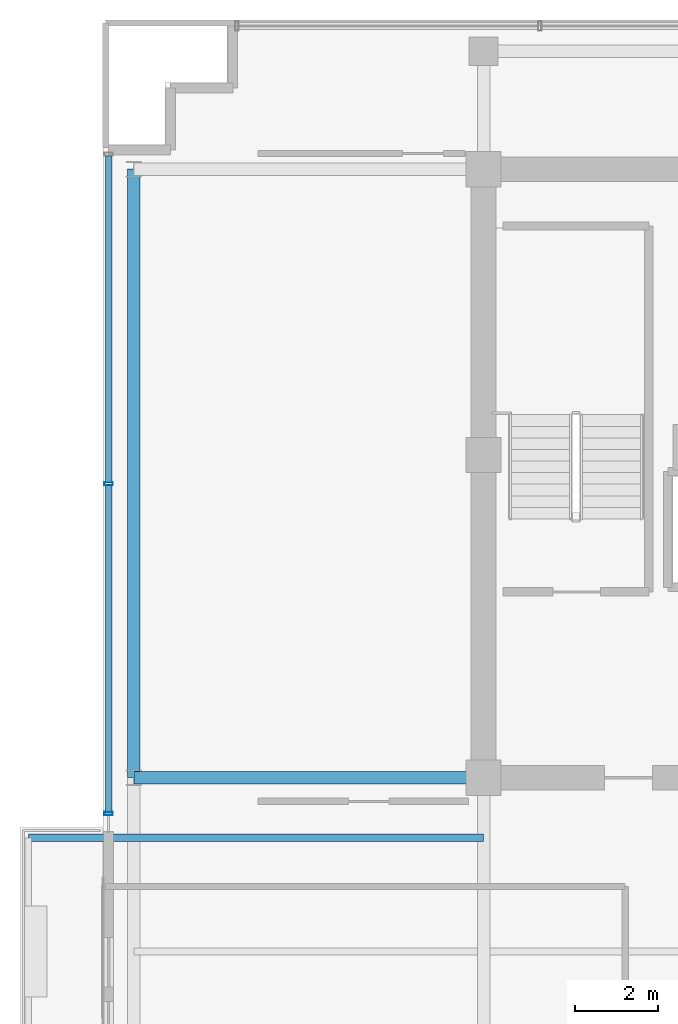
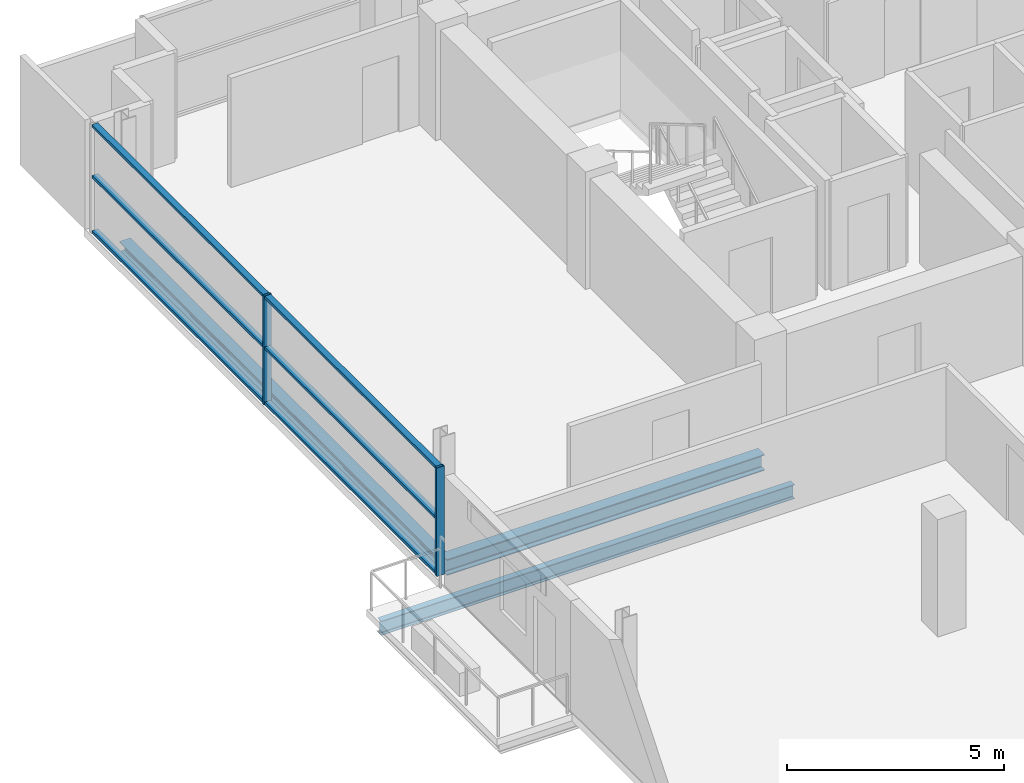
# One storey, part 6 of 22: 8 members, 3 beams, 1 element without a shape of its own.
"""IFC4 building model written with IfcOpenShell, lengths in metres."""

from ifc_helpers import new_model, si_unit, direction, frame, origin, origin_2d, place, context, subcontext, project, spatial, hollow_rectangle, i_section, extrude, source, transform, mapped, material, layer, layer_set, material_profile, profile_set, type_object, element, aggregate, save


model = new_model("IFC4")

# Units and contexts
model_context = context("Model", 3, precision=1e-05, world=origin(), true_north=direction((0.0, 1.0)))
body_context = subcontext(model_context, "Body", "Model", "MODEL_VIEW")
ifc_project = project(units=[si_unit("LENGTHUNIT", "METRE"), si_unit("AREAUNIT", "SQUARE_METRE"), si_unit("VOLUMEUNIT", "CUBIC_METRE"), si_unit("PLANEANGLEUNIT", "RADIAN"), si_unit("MASSUNIT", "GRAM", prefix="KILO")], contexts=[model_context])

# Site, building, storey
site_placement = place(None, origin())
site = spatial("IfcSite", under=ifc_project, at=site_placement, CompositionType="ELEMENT")
building_placement = place(site_placement, origin())
building = spatial("IfcBuilding", under=site, at=building_placement, Name="Zarnakvel Exchange Tower", CompositionType="ELEMENT")
storey_placement = place(building_placement, frame((0.0, 0.0, 228.699951171875)))
storey = spatial("IfcBuildingStorey", under=building, at=storey_placement, Name="L64", CompositionType="ELEMENT", Elevation=228.699951171875)

# Beams
ifc_material_1 = material(Name="Steel S355", Category="steel")
ifc_material_profile_1 = material_profile(ifc_material_1, i_section(OverallWidth=0.179931640625, OverallDepth=0.39990234375, WebThickness=0.008544921875, FlangeThickness=0.013427734375, FilletRadius=0.02099609375, at=origin_2d()))
ifc_profile_set_1 = profile_set([ifc_material_profile_1], Name="Steel S355")
beam_type_1 = type_object("IfcBeamType", Name="B-06", PredefinedType="JOIST", material=ifc_profile_set_1)
beam_1_placement = place(storey_placement, frame((-14.39990234375, -2.64990234375, -0.425048828125), z_axis=(-1.0, 0.0, 0.0), x_axis=(0.0, -1.0, 0.0)))
element("IfcBeam", 1, at=beam_1_placement, inside=storey, type_object=beam_type_1, Name="L64 Continuous West Loggia Beam N", PredefinedType="JOIST", context=body_context, shape_type="SweptSolid", body=[
    extrude(i_section(OverallWidth=0.179931640625, OverallDepth=0.39990234375, WebThickness=0.008544921875, FlangeThickness=0.013427734375, FilletRadius=0.02099609375, at=origin_2d()), origin(), (0.0, 0.0, 1.0), 11.0),
])
ifc_material_profile_2 = material_profile(ifc_material_1, i_section(OverallWidth=0.300048828125, OverallDepth=0.449951171875, WebThickness=0.013916015625, FlangeThickness=0.02587890625, FilletRadius=0.027099609375, at=origin_2d()))
ifc_profile_set_2 = profile_set([ifc_material_profile_2], Name="Steel S355")
beam_type_2 = type_object("IfcBeamType", Name="G-07", PredefinedType="BEAM", material=ifc_profile_set_2)
beam_2_placement = place(storey_placement, frame((-22.85009765625, -1.199951171875, -0.449951171875), z_axis=(1.0, 0.0, 0.0), x_axis=(0.0, 1.0, 0.0)))
element("IfcBeam", 2, at=beam_2_placement, inside=storey, type_object=beam_type_2, Name="L64 Tower E-W Frame Beam", PredefinedType="BEAM", context=body_context, shape_type="SweptSolid", body=[
    extrude(i_section(OverallWidth=0.300048828125, OverallDepth=0.449951171875, WebThickness=0.013916015625, FlangeThickness=0.02587890625, FilletRadius=0.027099609375, at=origin_2d()), origin(), (0.0, 0.0, 1.0), 8.4501953125),
])
ifc_material_profile_3 = material_profile(ifc_material_1, i_section(OverallWidth=0.300048828125, OverallDepth=0.300048828125, WebThickness=0.010986328125, FlangeThickness=0.01904296875, FilletRadius=0.027099609375, at=origin_2d()))
ifc_profile_set_3 = profile_set([ifc_material_profile_3], Name="Steel S355")
beam_type_3 = type_object("IfcBeamType", Name="SP-03", PredefinedType="SPANDREL", material=ifc_profile_set_3)
beam_3_placement = place(storey_placement, frame((-22.85009765625, -1.199951171875, -0.375), z_axis=(0.0, 1.0, 0.0), x_axis=(-1.0, 0.0, 0.0)))
element("IfcBeam", 3, at=beam_3_placement, inside=storey, type_object=beam_type_3, Name="L64 Tower N-S Frame Beam", PredefinedType="SPANDREL", context=body_context, shape_type="SweptSolid", body=[
    extrude(i_section(OverallWidth=0.300048828125, OverallDepth=0.300048828125, WebThickness=0.010986328125, FlangeThickness=0.01904296875, FilletRadius=0.027099609375, at=origin_2d()), origin(), (0.0, 0.0, 1.0), 14.699951171875),
])

# Curtain wall, members
ifc_material_2 = material(Name="Architectural Bronze Anodised Aluminium", Category="aluminium")
ifc_layer = layer(ifc_material_2, 0.199951171875)
ifc_layer_set = layer_set([ifc_layer], Name="Architectural Bronze Anodised Aluminium")
curtain_wall_type = type_object("IfcCurtainWallType", Name="CW-04", PredefinedType="NOTDEFINED", material=ifc_layer_set)
curtain_wall_placement = place(storey_placement, origin())
curtain_wall = element("IfcCurtainWall", 4, at=curtain_wall_placement, inside=storey, type_object=curtain_wall_type, Name="L64 Curtain Wall CW-L64-WN (CW-04)", PredefinedType="NOTDEFINED")
ifc_material_profile_4 = material_profile(ifc_material_2, hollow_rectangle(XDim=0.199951171875, YDim=0.074951171875, WallThickness=0.0048828125, at=origin_2d()))
ifc_profile_set_4 = profile_set([ifc_material_profile_4], Name="Architectural Bronze Anodised Aluminium")
member_type_1 = type_object("IfcMemberType", Name="CWM-04", PredefinedType="MULLION", material=ifc_profile_set_4)
shared_shape_1 = source(origin(), body_context, "Body", "SweptSolid", [
    extrude(hollow_rectangle(XDim=0.199951171875, YDim=0.074951171875, WallThickness=0.0048828125, at=origin_2d()), origin(), (0.0, 0.0, 1.0), 3.054931640625),
])
member_1_placement = place(storey_placement, frame((-23.4599609375, -2.0625, 0.0), z_axis=(0.0, 0.0, 1.0), x_axis=(-1.0, 0.0, 0.0)))
member_1 = element("IfcMember", 5, at=member_1_placement, type_object=member_type_1, Name="CW-04 mullion 1", PredefinedType="MULLION", context=body_context, shape_type="MappedRepresentation", body=[
    mapped(shared_shape_1, transform((0.0, 0.0, 0.0), x_axis=(1.0, 0.0, 0.0), y_axis=(0.0, 1.0, 0.0), z_axis=(0.0, 0.0, 1.0), scale=1.0)),
])
member_2_placement = place(storey_placement, frame((-23.4599609375, 5.89990234375, 0.0), z_axis=(0.0, 0.0, 1.0), x_axis=(-1.0, 0.0, 0.0)))
member_2 = element("IfcMember", 6, at=member_2_placement, type_object=member_type_1, Name="CW-04 mullion 2", PredefinedType="MULLION", context=body_context, shape_type="MappedRepresentation", body=[
    mapped(shared_shape_1, transform((0.0, 0.0, 0.0), x_axis=(1.0, 0.0, 0.0), y_axis=(0.0, 1.0, 0.0), z_axis=(0.0, 0.0, 1.0), scale=1.0)),
])
ifc_material_profile_5 = material_profile(ifc_material_2, hollow_rectangle(XDim=0.159912109375, YDim=0.074951171875, WallThickness=0.00390625, at=origin_2d()))
ifc_profile_set_5 = profile_set([ifc_material_profile_5], Name="Architectural Bronze Anodised Aluminium")
member_type_2 = type_object("IfcMemberType", Name="CWT-04", PredefinedType="USERDEFINED", material=ifc_profile_set_5)
shared_shape_2 = source(origin(), body_context, "Body", "SweptSolid", [
    extrude(hollow_rectangle(XDim=0.159912109375, YDim=0.074951171875, WallThickness=0.00390625, at=origin_2d()), origin(), (0.0, 0.0, 1.0), 7.887451171875),
])
member_3_placement = place(storey_placement, frame((-23.4599609375, -2.02490234375, 0.03759765625), z_axis=(0.0, 1.0, 0.0), x_axis=(-1.0, 0.0, 0.0)))
member_3 = element("IfcMember", 7, at=member_3_placement, type_object=member_type_2, Name="CW-04 transom 1.1", ObjectType="TRANSOM", PredefinedType="USERDEFINED", context=body_context, shape_type="MappedRepresentation", body=[
    mapped(shared_shape_2, transform((0.0, 0.0, 0.0), x_axis=(1.0, 0.0, 0.0), y_axis=(0.0, 1.0, 0.0), z_axis=(0.0, 0.0, 1.0), scale=1.0)),
])
member_4_placement = place(storey_placement, frame((-23.4599609375, -2.02490234375, 1.588623046875), z_axis=(0.0, 1.0, 0.0), x_axis=(-1.0, 0.0, 0.0)))
member_4 = element("IfcMember", 8, at=member_4_placement, type_object=member_type_2, Name="CW-04 transom 1.2", ObjectType="TRANSOM", PredefinedType="USERDEFINED", context=body_context, shape_type="MappedRepresentation", body=[
    mapped(shared_shape_2, transform((0.0, 0.0, 0.0), x_axis=(1.0, 0.0, 0.0), y_axis=(0.0, 1.0, 0.0), z_axis=(0.0, 0.0, 1.0), scale=1.0)),
])
member_5_placement = place(storey_placement, frame((-23.4599609375, -2.02490234375, 3.017578125), z_axis=(0.0, 1.0, 0.0), x_axis=(-1.0, 0.0, 0.0)))
member_5 = element("IfcMember", 9, at=member_5_placement, type_object=member_type_2, Name="CW-04 transom 1.3", ObjectType="TRANSOM", PredefinedType="USERDEFINED", context=body_context, shape_type="MappedRepresentation", body=[
    mapped(shared_shape_2, transform((0.0, 0.0, 0.0), x_axis=(1.0, 0.0, 0.0), y_axis=(0.0, 1.0, 0.0), z_axis=(0.0, 0.0, 1.0), scale=1.0)),
])
member_6_placement = place(storey_placement, frame((-23.4599609375, 5.9375, 0.03759765625), z_axis=(0.0, 1.0, 0.0), x_axis=(-1.0, 0.0, 0.0)))
member_6 = element("IfcMember", 10, at=member_6_placement, type_object=member_type_2, Name="CW-04 transom 2.1", ObjectType="TRANSOM", PredefinedType="USERDEFINED", context=body_context, shape_type="MappedRepresentation", body=[
    mapped(shared_shape_2, transform((0.0, 0.0, 0.0), x_axis=(1.0, 0.0, 0.0), y_axis=(0.0, 1.0, 0.0), z_axis=(0.0, 0.0, 1.0), scale=1.0)),
])
member_7_placement = place(storey_placement, frame((-23.4599609375, 5.9375, 1.588623046875), z_axis=(0.0, 1.0, 0.0), x_axis=(-1.0, 0.0, 0.0)))
member_7 = element("IfcMember", 11, at=member_7_placement, type_object=member_type_2, Name="CW-04 transom 2.2", ObjectType="TRANSOM", PredefinedType="USERDEFINED", context=body_context, shape_type="MappedRepresentation", body=[
    mapped(shared_shape_2, transform((0.0, 0.0, 0.0), x_axis=(1.0, 0.0, 0.0), y_axis=(0.0, 1.0, 0.0), z_axis=(0.0, 0.0, 1.0), scale=1.0)),
])
member_8_placement = place(storey_placement, frame((-23.4599609375, 5.9375, 3.017578125), z_axis=(0.0, 1.0, 0.0), x_axis=(-1.0, 0.0, 0.0)))
member_8 = element("IfcMember", 12, at=member_8_placement, type_object=member_type_2, Name="CW-04 transom 2.3", ObjectType="TRANSOM", PredefinedType="USERDEFINED", context=body_context, shape_type="MappedRepresentation", body=[
    mapped(shared_shape_2, transform((0.0, 0.0, 0.0), x_axis=(1.0, 0.0, 0.0), y_axis=(0.0, 1.0, 0.0), z_axis=(0.0, 0.0, 1.0), scale=1.0)),
])
aggregate(curtain_wall, [member_1, member_2, member_3, member_4, member_5, member_6, member_7, member_8])

save(model, "model.ifc")
